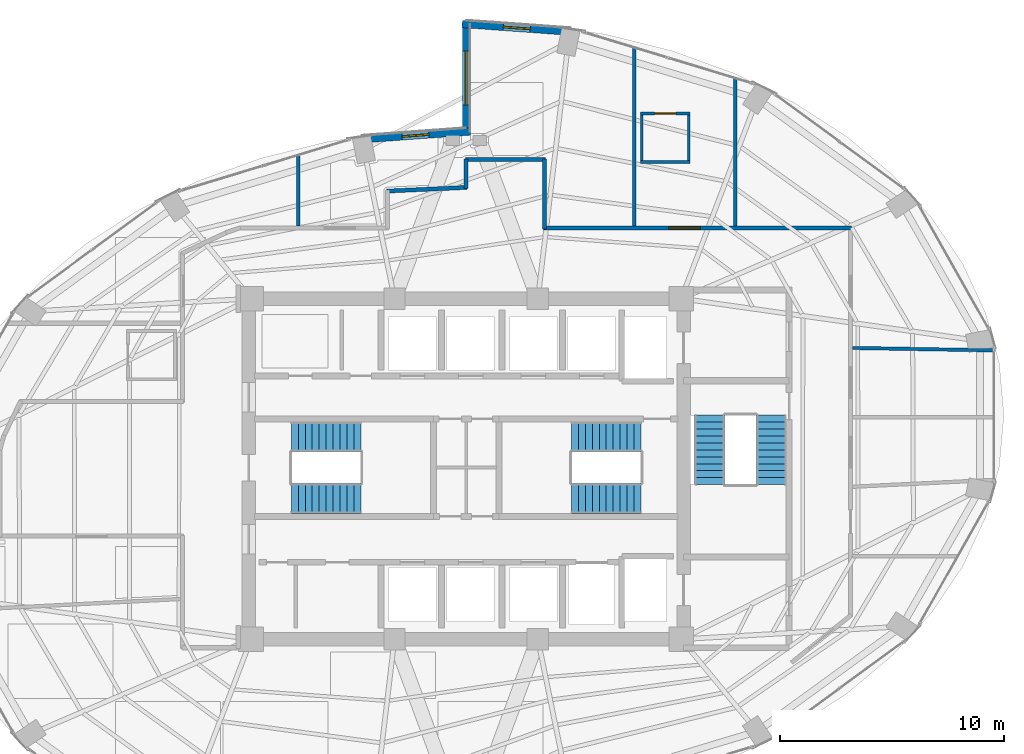
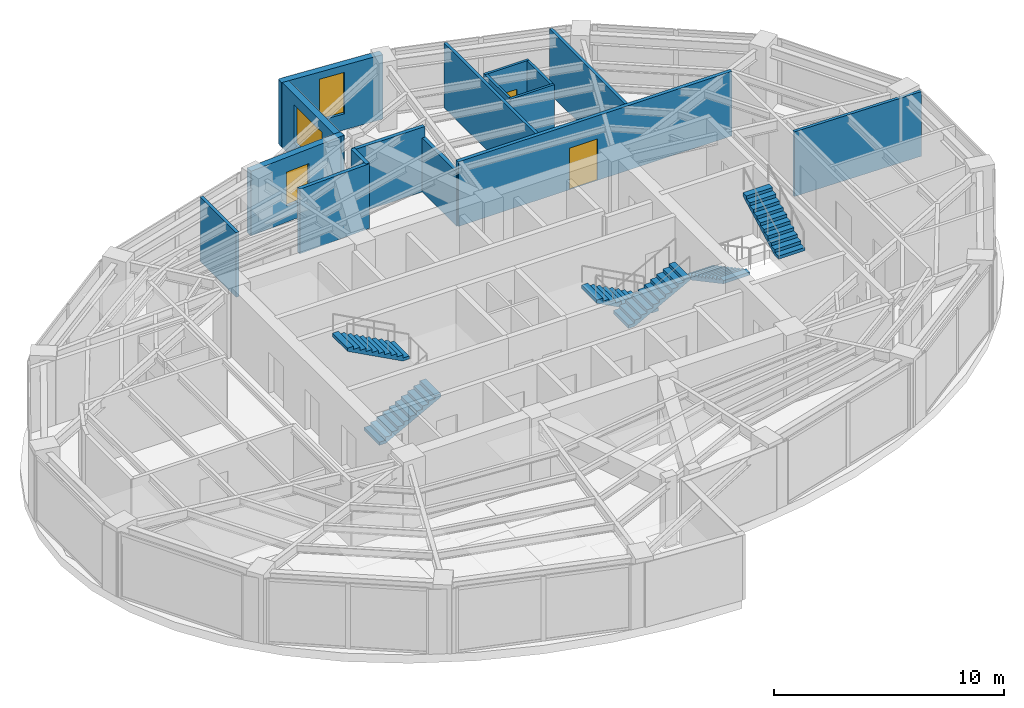
# One storey, part 18 of 20: 16 walls, 6 stair flights, 3 windows, 2 doors, 5 openings, 3 elements without a shape of their own.
"""IFC4 building model written with IfcOpenShell, lengths in metres."""

from ifc_helpers import new_model, si_unit, direction, frame, frame_2d, origin, place, context, subcontext, project, spatial, polyline, rectangle, outline, extrude, material, layer, layer_set, type_object, element, fill, aggregate, save


model = new_model("IFC4")

# Units and contexts
model_context = context("Model", 3, precision=1e-05, world=origin(), true_north=direction((0.0, 1.0)))
body_context = subcontext(model_context, "Body", "Model", "MODEL_VIEW")
ifc_project = project(units=[si_unit("LENGTHUNIT", "METRE"), si_unit("AREAUNIT", "SQUARE_METRE"), si_unit("VOLUMEUNIT", "CUBIC_METRE"), si_unit("PLANEANGLEUNIT", "RADIAN"), si_unit("MASSUNIT", "GRAM", prefix="KILO")], contexts=[model_context])

# Site, building, storey
site_placement = place(None, origin())
site = spatial("IfcSite", under=ifc_project, at=site_placement, CompositionType="ELEMENT")
building_placement = place(site_placement, origin())
building = spatial("IfcBuilding", under=site, at=building_placement, Name="Lazwardi Medical Tower", CompositionType="ELEMENT")
storey_placement = place(building_placement, frame((0.0, 0.0, 138.2880859375)))
storey = spatial("IfcBuildingStorey", under=building, at=storey_placement, Name="L35", CompositionType="ELEMENT", Elevation=138.2880859375)

# Walls
ifc_material_1 = material(Name="Fire-rated gypsum board on steel stud", Category="steel")
ifc_layer_1 = layer(ifc_material_1, 0.179931640625)
ifc_layer_set_1 = layer_set([ifc_layer_1], Name="Fire-rated gypsum board on steel stud")
wall_type_1 = type_object("IfcWallType", Name="WL-COR-180", PredefinedType="PARTITIONING", material=ifc_layer_set_1)
wall_1_placement = place(storey_placement, frame((32.4599609375, 40.3974609375, 0.0), z_axis=(0.0, 0.0, 1.0), x_axis=(0.998948498694, 0.045846449783, 0.0)))
element("IfcWall", 1, at=wall_1_placement, inside=storey, type_object=wall_type_1, Name="L35 Corridor partition 8", PredefinedType="PARTITIONING", context=body_context, shape_type="SweptSolid", body=[
    extrude(rectangle(XDim=3.583740234375, YDim=0.179931640625, at=frame_2d((1.7919921875, 0.0))), origin(), (0.0, 0.0, 1.0), 3.427978515625),
])
wall_2_placement = place(storey_placement, frame((36.0, 40.52001953125, 0.0), z_axis=(0.0, 0.0, 1.0), x_axis=(0.0, 1.0, 0.0)))
element("IfcWall", 2, at=wall_2_placement, inside=storey, type_object=wall_type_1, Name="L35 Corridor partition 9", PredefinedType="PARTITIONING", context=body_context, shape_type="SweptSolid", body=[
    extrude(rectangle(XDim=1.320068359375, YDim=0.179931640625, at=frame_2d((0.66015625, 0.0))), origin(), (0.0, 0.0, 1.0), 3.427978515625),
])
wall_3_placement = place(storey_placement, frame((35.9599609375, 41.800048828125, 0.0), z_axis=(0.0, 0.0, 1.0), x_axis=(1.0, 0.0, 0.0)))
element("IfcWall", 3, at=wall_3_placement, inside=storey, type_object=wall_type_1, Name="L35 Corridor partition 10", PredefinedType="PARTITIONING", context=body_context, shape_type="SweptSolid", body=[
    extrude(rectangle(XDim=3.580078125, YDim=0.179931640625, at=frame_2d((1.7900390625, 0.0))), origin(), (0.0, 0.0, 1.0), 3.427978515625),
])
wall_4_placement = place(storey_placement, frame((39.5, 41.840087890625, 0.0), z_axis=(0.0, 0.0, 1.0), x_axis=(0.0, -1.0, 0.0)))
element("IfcWall", 4, at=wall_4_placement, inside=storey, type_object=wall_type_1, Name="L35 Corridor partition 11", PredefinedType="PARTITIONING", context=body_context, shape_type="SweptSolid", body=[
    extrude(rectangle(XDim=3.130126953125, YDim=0.179931640625, at=frame_2d((1.56494140625, 0.0))), origin(), (0.0, 0.0, 1.0), 2.86279296875),
])

# Wall, opening, door
wall_5_placement = place(storey_placement, frame((39.4599609375, 38.75, 0.0), z_axis=(0.0, 0.0, 1.0), x_axis=(1.0, 0.0, 0.0)))
wall_5 = element("IfcWall", 5, at=wall_5_placement, inside=storey, type_object=wall_type_1, Name="L35 Corridor partition 12", PredefinedType="PARTITIONING", context=body_context, shape_type="SweptSolid", body=[
    extrude(rectangle(XDim=13.72998046875, YDim=0.179931640625, at=frame_2d((6.864990234375, 0.0))), origin(), (0.0, 0.0, 1.0), 3.427978515625),
])
opening_1_placement = place(wall_5_placement, frame((5.590087890625, 0.0, 0.0)))
opening_1 = element("IfcOpeningElement", 6, at=opening_1_placement, cuts=wall_5, Name="Opening D-L35-021", PredefinedType="OPENING", context=body_context, shape_type="SweptSolid", body=[
    extrude(rectangle(XDim=1.39990234375, YDim=2.199951171875, at=frame_2d((0.699951171875, 1.10009765625))), frame((0.0, 0.099853515625, 0.0), z_axis=(0.0, -1.0, 0.0), x_axis=(1.0, 0.0, 0.0)), (0.0, 0.0, 1.0), 0.199951171875),
])
ifc_material_2 = material(Name="Anti-microbial laminate hospital leaf")
door_type_1 = type_object("IfcDoorType", Name="DR-BED-1400", OperationType="NOTDEFINED", PredefinedType="DOOR", material=ifc_material_2)
door_1_placement = place(opening_1_placement, origin())
door_1 = element("IfcDoor", 7, at=door_1_placement, inside=storey, type_object=door_type_1, Name="L35 Patient Bedroom Door 07", OperationType="SINGLE_SWING_RIGHT", OverallHeight=2.199951171875, OverallWidth=1.39990234375, PredefinedType="DOOR", context=body_context, shape_type="SweptSolid", body=[
    extrude(rectangle(XDim=1.39990234375, YDim=2.199951171875, at=frame_2d((0.699951171875, 1.10009765625))), frame((0.0, 0.02490234375, 0.0), z_axis=(0.0, -1.0, 0.0), x_axis=(1.0, 0.0, 0.0)), (0.0, 0.0, 1.0), 0.050048828125),
])
fill(opening_1, door_1)

ifc_material_3 = material(Name="Moisture-resistant gypsum board partition")
ifc_layer_2 = layer(ifc_material_3, 0.125)
ifc_layer_set_2 = layer_set([ifc_layer_2], Name="Moisture-resistant gypsum board partition")
wall_type_2 = type_object("IfcWallType", Name="WL-ENS-125", PredefinedType="PARTITIONING", material=ifc_layer_set_2)
wall_6_placement = place(storey_placement, frame((43.77490234375, 43.86083984375, 0.0), z_axis=(0.0, 0.0, 1.0), x_axis=(1.0, 0.0, 0.0)))
wall_6 = element("IfcWall", 8, at=wall_6_placement, inside=storey, type_object=wall_type_2, Name="L35 En-suite wall 7N", PredefinedType="PARTITIONING", context=body_context, shape_type="SweptSolid", body=[
    extrude(rectangle(XDim=2.22021484375, YDim=0.125, at=frame_2d((1.110107421875, 0.0))), origin(), (0.0, 0.0, 1.0), 3.427978515625),
])
opening_2_placement = place(wall_6_placement, frame((0.635009765625, 0.0, 0.0)))
opening_2 = element("IfcOpeningElement", 9, at=opening_2_placement, cuts=wall_6, Name="Opening D-L35-006", PredefinedType="OPENING", context=body_context, shape_type="SweptSolid", body=[
    extrude(rectangle(XDim=0.949951171875, YDim=2.10009765625, at=frame_2d((0.47509765625, 1.050048828125))), frame((0.0, 0.072509765625, 0.0), z_axis=(0.0, -1.0, 0.0), x_axis=(1.0, 0.0, 0.0)), (0.0, 0.0, 1.0), 0.14501953125),
])
ifc_material_4 = material(Name="Moisture-resistant laminate door leaf")
door_type_2 = type_object("IfcDoorType", Name="DR-ENS-950", OperationType="NOTDEFINED", PredefinedType="DOOR", material=ifc_material_4)
door_2_placement = place(opening_2_placement, origin())
door_2 = element("IfcDoor", 10, at=door_2_placement, inside=storey, type_object=door_type_2, Name="L35 En-suite Door 07", OperationType="SINGLE_SWING_LEFT", OverallHeight=2.10009765625, OverallWidth=0.949951171875, PredefinedType="DOOR", context=body_context, shape_type="SweptSolid", body=[
    extrude(rectangle(XDim=0.949951171875, YDim=2.10009765625, at=frame_2d((0.47509765625, 1.050048828125))), frame((0.0, 0.02490234375, 0.0), z_axis=(0.0, -1.0, 0.0), x_axis=(1.0, 0.0, 0.0)), (0.0, 0.0, 1.0), 0.050048828125),
])
fill(opening_2, door_2)

# Walls
wall_7_placement = place(storey_placement, frame((43.77490234375, 41.70068359375, 0.0), z_axis=(0.0, 0.0, 1.0), x_axis=(1.0, 0.0, 0.0)))
element("IfcWall", 11, at=wall_7_placement, inside=storey, type_object=wall_type_2, Name="L35 En-suite wall 7S", PredefinedType="PARTITIONING", context=body_context, shape_type="SweptSolid", body=[
    extrude(rectangle(XDim=2.22021484375, YDim=0.125, at=frame_2d((1.110107421875, 0.0))), origin(), (0.0, 0.0, 1.0), 3.427978515625),
])
for number, where, z_axis, x_axis, name in (
    (12, (45.93505859375, 41.640869140625, 0.0), (0.0, 0.0, 1.0), (0.0, 1.0, 0.0), "L35 En-suite wall 7E"),
    (13, (43.8349609375, 41.640869140625, 0.0), (0.0, 0.0, 1.0), (0.0, 1.0, 0.0), "L35 En-suite wall 7W"),
):
    element("IfcWall", number, at=place(storey_placement, frame(where, z_axis=z_axis, x_axis=x_axis)), inside=storey, type_object=wall_type_2, Name=name, PredefinedType="PARTITIONING", context=body_context, shape_type="SweptSolid", body=[
        extrude(rectangle(XDim=2.280029296875, YDim=0.125, at=frame_2d((1.14013671875, 0.0))), origin(), (0.0, 0.0, 1.0), 3.427978515625),
    ])

# Wall, opening, window
ifc_material_5 = material(Name="Precast concrete C45/55", Category="concrete")
ifc_layer_3 = layer(ifc_material_5, 0.320068359375)
ifc_layer_set_3 = layer_set([ifc_layer_3], Name="Precast concrete C45/55")
wall_type_3 = type_object("IfcWallType", Name="WL-IWAN-320", PredefinedType="SOLIDWALL", material=ifc_layer_set_3)
wall_8_placement = place(storey_placement, frame((40.700927734375, 47.501220703125, 0.0), z_axis=(0.0, 0.0, 1.0), x_axis=(-0.997415460462, 0.071849838072, 0.0)))
wall_8 = element("IfcWall", 14, at=wall_8_placement, inside=storey, type_object=wall_type_3, Name="L35 Iwan Portal Return Wall NE_ret", PredefinedType="SOLIDWALL", context=body_context, shape_type="SweptSolid", body=[
    extrude(rectangle(XDim=4.89306640625, YDim=0.320068359375, at=frame_2d((2.446533203125, 0.0))), origin(), (0.0, 0.0, 1.0), 3.427978515625),
])
opening_3_placement = place(wall_8_placement, frame((1.846435546875, 0.0, 0.85009765625)))
opening_3 = element("IfcOpeningElement", 15, at=opening_3_placement, cuts=wall_8, Name="Opening WN-01", PredefinedType="OPENING", context=body_context, shape_type="SweptSolid", body=[
    extrude(rectangle(XDim=1.199951171875, YDim=2.199951171875, at=frame_2d((0.60009765625, 1.10009765625))), frame((0.0, 0.169921875, 0.0), z_axis=(0.0, -1.0, 0.0), x_axis=(1.0, 0.0, 0.0)), (0.0, 0.0, 1.0), 0.340087890625),
])
ifc_material_6 = material(Name="Low-e bronze solar control double glazing", Category="glass")
window_type_1 = type_object("IfcWindowType", Name="WIN-IW-1200", PartitioningType="SINGLE_PANEL", PredefinedType="WINDOW", material=ifc_material_6)
window_1_placement = place(opening_3_placement, origin())
window_1 = element("IfcWindow", 16, at=window_1_placement, inside=storey, type_object=window_type_1, Name="L35 Iwan Slot Window NE_ret", OverallHeight=2.199951171875, OverallWidth=1.199951171875, PartitioningType="SINGLE_PANEL", PredefinedType="WINDOW", context=body_context, shape_type="SweptSolid", body=[
    extrude(rectangle(XDim=1.199951171875, YDim=2.199951171875, at=frame_2d((0.60009765625, 1.10009765625))), frame((0.0, 0.030029296875, 0.0), z_axis=(0.0, -1.0, 0.0), x_axis=(1.0, 0.0, 0.0)), (0.0, 0.0, 1.0), 0.06005859375),
])
fill(opening_3, window_1)

wall_9_placement = place(storey_placement, frame((36.17919921875, 43.052978515625, 0.0), z_axis=(0.0, 0.0, 1.0), x_axis=(-0.997415202861, -0.071853413984, 0.0)))
wall_9 = element("IfcWall", 17, at=wall_9_placement, inside=storey, type_object=wall_type_3, Name="L35 Iwan Portal Return Wall NW_ret", PredefinedType="SOLIDWALL", context=body_context, shape_type="SweptSolid", body=[
    extrude(rectangle(XDim=4.892822265625, YDim=0.320068359375, at=frame_2d((2.4462890625, 0.0))), origin(), (0.0, 0.0, 1.0), 3.427978515625),
])
opening_4_placement = place(wall_9_placement, frame((1.84619140625, 0.0, 0.85009765625)))
opening_4 = element("IfcOpeningElement", 18, at=opening_4_placement, cuts=wall_9, Name="Opening WN-04", PredefinedType="OPENING", context=body_context, shape_type="SweptSolid", body=[
    extrude(rectangle(XDim=1.199951171875, YDim=1.800048828125, at=frame_2d((0.60009765625, 0.89990234375))), frame((0.0, 0.169921875, 0.0), z_axis=(0.0, -1.0, 0.0), x_axis=(1.0, 0.0, 0.0)), (0.0, 0.0, 1.0), 0.340087890625),
])
window_type_2 = type_object("IfcWindowType", Name="WIN-DRUM-1200", PartitioningType="SINGLE_PANEL", PredefinedType="WINDOW", material=ifc_material_6)
window_2_placement = place(opening_4_placement, origin())
window_2 = element("IfcWindow", 19, at=window_2_placement, inside=storey, type_object=window_type_2, Name="L35 Iwan Slot Window NW_ret", OverallHeight=1.800048828125, OverallWidth=1.199951171875, PartitioningType="SINGLE_PANEL", PredefinedType="WINDOW", context=body_context, shape_type="SweptSolid", body=[
    extrude(rectangle(XDim=1.199951171875, YDim=1.800048828125, at=frame_2d((0.60009765625, 0.89990234375))), frame((0.0, 0.030029296875, 0.0), z_axis=(0.0, -1.0, 0.0), x_axis=(1.0, 0.0, 0.0)), (0.0, 0.0, 1.0), 0.06005859375),
])
fill(opening_4, window_2)

wall_10_placement = place(storey_placement, frame((36.0, 48.0, 0.0), z_axis=(0.0, 0.0, 1.0), x_axis=(0.0, -1.0, 0.0)))
wall_10 = element("IfcWall", 20, at=wall_10_placement, inside=storey, type_object=wall_type_3, Name="L35 Turquoise Tilework Iwan Seam Wall N_seam", PredefinedType="SOLIDWALL", context=body_context, shape_type="SweptSolid", body=[
    extrude(rectangle(XDim=5.1201171875, YDim=0.320068359375, at=frame_2d((2.56005859375, 0.0))), origin(), (0.0, 0.0, 1.0), 3.427978515625),
])
opening_5_placement = place(wall_10_placement, frame((1.360107421875, 0.0, 0.840087890625)))
opening_5 = element("IfcOpeningElement", 21, at=opening_5_placement, cuts=wall_10, Name="Opening WN-02", PredefinedType="OPENING", context=body_context, shape_type="SweptSolid", body=[
    extrude(rectangle(XDim=2.39990234375, YDim=2.0400390625, at=frame_2d((1.199951171875, 1.02001953125))), frame((0.0, 0.169921875, 0.0), z_axis=(0.0, -1.0, 0.0), x_axis=(1.0, 0.0, 0.0)), (0.0, 0.0, 1.0), 0.340087890625),
])
window_type_3 = type_object("IfcWindowType", Name="WIN-IW-2400", PartitioningType="SINGLE_PANEL", PredefinedType="WINDOW", material=ifc_material_6)
window_3_placement = place(opening_5_placement, origin())
window_3 = element("IfcWindow", 22, at=window_3_placement, inside=storey, type_object=window_type_3, Name="L35 Iwan Seam Window N_seam", OverallHeight=2.0400390625, OverallWidth=2.39990234375, PartitioningType="SINGLE_PANEL", PredefinedType="WINDOW", context=body_context, shape_type="SweptSolid", body=[
    extrude(rectangle(XDim=2.39990234375, YDim=2.0400390625, at=frame_2d((1.199951171875, 1.02001953125))), frame((0.0, 0.030029296875, 0.0), z_axis=(0.0, -1.0, 0.0), x_axis=(1.0, 0.0, 0.0)), (0.0, 0.0, 1.0), 0.06005859375),
])
fill(opening_5, window_3)

# Walls
ifc_material_7 = material(Name="Acoustic gypsum board partition")
ifc_layer_4 = layer(ifc_material_7, 0.14990234375)
ifc_layer_set_4 = layer_set([ifc_layer_4], Name="Acoustic gypsum board partition")
wall_type_4 = type_object("IfcWallType", Name="WL-WRD-150", PredefinedType="PARTITIONING", material=ifc_layer_set_4)
wall_11_placement = place(storey_placement, frame((53.239990234375, 33.398681640625, 0.0), z_axis=(0.0, 0.0, 1.0), x_axis=(0.999852374284, -0.017182247791, 0.0)))
element("IfcWall", 23, at=wall_11_placement, inside=storey, type_object=wall_type_4, Name="L35 Room partition 6", PredefinedType="PARTITIONING", context=body_context, shape_type="SweptSolid", body=[
    extrude(rectangle(XDim=6.322998046875, YDim=0.14990234375, at=frame_2d((3.16162109375, 0.0))), origin(), (0.0, 0.0, 1.0), 3.427978515625),
])
wall_12_placement = place(storey_placement, frame((28.5, 38.840087890625, 0.0), z_axis=(0.0, 0.0, 1.0), x_axis=(0.0, 1.0, 0.0)))
element("IfcWall", 24, at=wall_12_placement, inside=storey, type_object=wall_type_4, Name="L35 Room partition 7", PredefinedType="PARTITIONING", context=body_context, shape_type="SweptSolid", body=[
    extrude(rectangle(XDim=3.142578125, YDim=0.14990234375, at=frame_2d((1.5712890625, 0.0))), origin(), (0.0, 0.0, 1.0), 3.427978515625),
])
wall_13_placement = place(storey_placement, frame((43.5, 38.840087890625, 0.0), z_axis=(0.0, 0.0, 1.0), x_axis=(0.0, 1.0, 0.0)))
element("IfcWall", 25, at=wall_13_placement, inside=storey, type_object=wall_type_4, Name="L35 Room partition 8", PredefinedType="PARTITIONING", context=body_context, shape_type="SweptSolid", body=[
    extrude(rectangle(XDim=7.942626953125, YDim=0.14990234375, at=frame_2d((3.97119140625, 0.0))), origin(), (0.0, 0.0, 1.0), 3.427978515625),
])
wall_14_placement = place(storey_placement, frame((48.0, 38.840087890625, 0.0), z_axis=(0.0, 0.0, 1.0), x_axis=(0.0, 1.0, 0.0)))
element("IfcWall", 26, at=wall_14_placement, inside=storey, type_object=wall_type_4, Name="L35 Room partition 9", PredefinedType="PARTITIONING", context=body_context, shape_type="SweptSolid", body=[
    extrude(rectangle(XDim=6.57763671875, YDim=0.14990234375, at=frame_2d((3.288818359375, 0.0))), origin(), (0.0, 0.0, 1.0), 3.427978515625),
])

# Stair, stair flights
ifc_material_8 = material(Name="Concrete C45/55", Category="concrete")
stair_type = type_object("IfcStairType", Name="STR-WRD", PredefinedType="HALF_TURN_STAIR", material=ifc_material_8)
stair_1_placement = place(storey_placement, origin())
stair_1 = element("IfcStair", 27, at=stair_1_placement, inside=storey, type_object=stair_type, Name="L35 Protected Exit Stair ST1", PredefinedType="HALF_TURN_STAIR")
stair_flight_type = type_object("IfcStairFlightType", Name="FLT-WRD", PredefinedType="STRAIGHT", material=ifc_material_8)
stair_flight_1_placement = place(storey_placement, frame((28.199951171875, 26.679931640625, 0.0), z_axis=(0.0, 0.0, 1.0), x_axis=(1.0, 0.0, 0.0)))
stair_flight_1 = element("IfcStairFlight", 28, at=stair_flight_1_placement, type_object=stair_flight_type, Name="ST1 flight 1", NumberOfRisers=11, NumberOfTreads=10, PredefinedType="STRAIGHT", RiserHeight=0.165818182, TreadLength=0.31, context=body_context, shape_type="SweptSolid", body=[
    extrude(outline(polyline([(0.0, 0.0), (0.0, 0.165771484375), (0.31005859375, 0.165771484375), (0.31005859375, 0.33154296875), (0.6201171875, 0.33154296875), (0.6201171875, 0.49755859375), (0.929931640625, 0.49755859375), (0.929931640625, 0.663330078125), (1.239990234375, 0.663330078125), (1.239990234375, 0.8291015625), (1.550048828125, 0.8291015625), (1.550048828125, 0.994873046875), (1.860107421875, 0.994873046875), (1.860107421875, 1.16064453125), (2.169921875, 1.16064453125), (2.169921875, 1.32666015625), (2.47998046875, 1.32666015625), (2.47998046875, 1.492431640625), (2.7900390625, 1.492431640625), (2.7900390625, 1.658203125), (3.10009765625, 1.658203125), (3.10009765625, 1.823974609375), (3.10009765625, 1.48828125), (0.31787109375, 0.0), (0.0, 0.0)])), frame((0.0, 0.66015625, 0.0), z_axis=(0.0, -1.0, 0.0), x_axis=(1.0, 0.0, 0.0)), (0.0, 0.0, 1.0), 1.320068359375),
])
stair_flight_2_placement = place(storey_placement, frame((31.300048828125, 29.43994140625, 1.823974609375), z_axis=(0.0, 0.0, 1.0), x_axis=(-1.0, 0.0, 0.0)))
stair_flight_2 = element("IfcStairFlight", 29, at=stair_flight_2_placement, type_object=stair_flight_type, Name="ST1 flight 2", NumberOfRisers=11, NumberOfTreads=10, PredefinedType="STRAIGHT", RiserHeight=0.165818182, TreadLength=0.31, context=body_context, shape_type="SweptSolid", body=[
    extrude(outline(polyline([(0.0, 0.0), (0.0, 0.165771484375), (0.31005859375, 0.165771484375), (0.31005859375, 0.33154296875), (0.6201171875, 0.33154296875), (0.6201171875, 0.49755859375), (0.929931640625, 0.49755859375), (0.929931640625, 0.663330078125), (1.239990234375, 0.663330078125), (1.239990234375, 0.8291015625), (1.550048828125, 0.8291015625), (1.550048828125, 0.994873046875), (1.860107421875, 0.994873046875), (1.860107421875, 1.16064453125), (2.169921875, 1.16064453125), (2.169921875, 1.32666015625), (2.47998046875, 1.32666015625), (2.47998046875, 1.492431640625), (2.7900390625, 1.492431640625), (2.7900390625, 1.658203125), (3.10009765625, 1.658203125), (3.10009765625, 1.823974609375), (3.10009765625, 1.48828125), (0.31787109375, 0.0), (0.0, 0.0)])), frame((0.0, 0.66015625, 0.0), z_axis=(0.0, -1.0, 0.0), x_axis=(1.0, 0.0, 0.0)), (0.0, 0.0, 1.0), 1.320068359375),
])
aggregate(stair_1, [stair_flight_1, stair_flight_2])

stair_2_placement = place(storey_placement, origin())
stair_2 = element("IfcStair", 30, at=stair_2_placement, inside=storey, type_object=stair_type, Name="L35 Protected Exit Stair ST2", PredefinedType="HALF_TURN_STAIR")
stair_flight_3_placement = place(storey_placement, frame((43.800048828125, 29.43994140625, 0.0), z_axis=(0.0, 0.0, 1.0), x_axis=(-1.0, 0.0, 0.0)))
stair_flight_3 = element("IfcStairFlight", 31, at=stair_flight_3_placement, type_object=stair_flight_type, Name="ST2 flight 1", NumberOfRisers=11, NumberOfTreads=10, PredefinedType="STRAIGHT", RiserHeight=0.165818182, TreadLength=0.31, context=body_context, shape_type="SweptSolid", body=[
    extrude(outline(polyline([(0.0, 0.0), (0.0, 0.165771484375), (0.31005859375, 0.165771484375), (0.31005859375, 0.33154296875), (0.6201171875, 0.33154296875), (0.6201171875, 0.49755859375), (0.929931640625, 0.49755859375), (0.929931640625, 0.663330078125), (1.239990234375, 0.663330078125), (1.239990234375, 0.8291015625), (1.550048828125, 0.8291015625), (1.550048828125, 0.994873046875), (1.860107421875, 0.994873046875), (1.860107421875, 1.16064453125), (2.169921875, 1.16064453125), (2.169921875, 1.32666015625), (2.47998046875, 1.32666015625), (2.47998046875, 1.492431640625), (2.7900390625, 1.492431640625), (2.7900390625, 1.658203125), (3.10009765625, 1.658203125), (3.10009765625, 1.823974609375), (3.10009765625, 1.48828125), (0.31787109375, 0.0), (0.0, 0.0)])), frame((0.0, 0.66015625, 0.0), z_axis=(0.0, -1.0, 0.0), x_axis=(1.0, 0.0, 0.0)), (0.0, 0.0, 1.0), 1.320068359375),
])
stair_flight_4_placement = place(storey_placement, frame((40.699951171875, 26.679931640625, 1.823974609375), z_axis=(0.0, 0.0, 1.0), x_axis=(1.0, 0.0, 0.0)))
stair_flight_4 = element("IfcStairFlight", 32, at=stair_flight_4_placement, type_object=stair_flight_type, Name="ST2 flight 2", NumberOfRisers=11, NumberOfTreads=10, PredefinedType="STRAIGHT", RiserHeight=0.165818182, TreadLength=0.31, context=body_context, shape_type="SweptSolid", body=[
    extrude(outline(polyline([(0.0, 0.0), (0.0, 0.165771484375), (0.31005859375, 0.165771484375), (0.31005859375, 0.33154296875), (0.6201171875, 0.33154296875), (0.6201171875, 0.49755859375), (0.929931640625, 0.49755859375), (0.929931640625, 0.663330078125), (1.239990234375, 0.663330078125), (1.239990234375, 0.8291015625), (1.550048828125, 0.8291015625), (1.550048828125, 0.994873046875), (1.860107421875, 0.994873046875), (1.860107421875, 1.16064453125), (2.169921875, 1.16064453125), (2.169921875, 1.32666015625), (2.47998046875, 1.32666015625), (2.47998046875, 1.492431640625), (2.7900390625, 1.492431640625), (2.7900390625, 1.658203125), (3.10009765625, 1.658203125), (3.10009765625, 1.823974609375), (3.10009765625, 1.48828125), (0.31787109375, 0.0), (0.0, 0.0)])), frame((0.0, 0.66015625, 0.0), z_axis=(0.0, -1.0, 0.0), x_axis=(1.0, 0.0, 0.0)), (0.0, 0.0, 1.0), 1.320068359375),
])
aggregate(stair_2, [stair_flight_3, stair_flight_4])

stair_3_placement = place(storey_placement, origin())
stair_3 = element("IfcStair", 33, at=stair_3_placement, inside=storey, type_object=stair_type, Name="L35 Protected Exit Stair ST3", PredefinedType="HALF_TURN_STAIR")
stair_flight_5_placement = place(storey_placement, frame((46.860107421875, 30.39990234375, 0.0), z_axis=(0.0, 0.0, 1.0), x_axis=(0.0, -1.0, 0.0)))
stair_flight_5 = element("IfcStairFlight", 34, at=stair_flight_5_placement, type_object=stair_flight_type, Name="ST3 flight 1", NumberOfRisers=11, NumberOfTreads=10, PredefinedType="STRAIGHT", RiserHeight=0.165818182, TreadLength=0.31, context=body_context, shape_type="SweptSolid", body=[
    extrude(outline(polyline([(0.0, 0.0), (0.0, 0.165771484375), (0.31005859375, 0.165771484375), (0.31005859375, 0.33154296875), (0.6201171875, 0.33154296875), (0.6201171875, 0.49755859375), (0.929931640625, 0.49755859375), (0.929931640625, 0.663330078125), (1.239990234375, 0.663330078125), (1.239990234375, 0.8291015625), (1.550048828125, 0.8291015625), (1.550048828125, 0.994873046875), (1.860107421875, 0.994873046875), (1.860107421875, 1.16064453125), (2.169921875, 1.16064453125), (2.169921875, 1.32666015625), (2.47998046875, 1.32666015625), (2.47998046875, 1.492431640625), (2.7900390625, 1.492431640625), (2.7900390625, 1.658203125), (3.10009765625, 1.658203125), (3.10009765625, 1.823974609375), (3.10009765625, 1.48828125), (0.31787109375, 0.0), (0.0, 0.0)])), frame((0.0, 0.66015625, 0.0), z_axis=(0.0, -1.0, 0.0), x_axis=(1.0, 0.0, 0.0)), (0.0, 0.0, 1.0), 1.320068359375),
])
stair_flight_6_placement = place(storey_placement, frame((49.6201171875, 27.300048828125, 1.823974609375), z_axis=(0.0, 0.0, 1.0), x_axis=(0.0, 1.0, 0.0)))
stair_flight_6 = element("IfcStairFlight", 35, at=stair_flight_6_placement, type_object=stair_flight_type, Name="ST3 flight 2", NumberOfRisers=11, NumberOfTreads=10, PredefinedType="STRAIGHT", RiserHeight=0.165818182, TreadLength=0.31, context=body_context, shape_type="SweptSolid", body=[
    extrude(outline(polyline([(0.0, 0.0), (0.0, 0.165771484375), (0.31005859375, 0.165771484375), (0.31005859375, 0.33154296875), (0.6201171875, 0.33154296875), (0.6201171875, 0.49755859375), (0.929931640625, 0.49755859375), (0.929931640625, 0.663330078125), (1.239990234375, 0.663330078125), (1.239990234375, 0.8291015625), (1.550048828125, 0.8291015625), (1.550048828125, 0.994873046875), (1.860107421875, 0.994873046875), (1.860107421875, 1.16064453125), (2.169921875, 1.16064453125), (2.169921875, 1.32666015625), (2.47998046875, 1.32666015625), (2.47998046875, 1.492431640625), (2.7900390625, 1.492431640625), (2.7900390625, 1.658203125), (3.10009765625, 1.658203125), (3.10009765625, 1.823974609375), (3.10009765625, 1.48828125), (0.31787109375, 0.0), (0.0, 0.0)])), frame((0.0, 0.66015625, 0.0), z_axis=(0.0, -1.0, 0.0), x_axis=(1.0, 0.0, 0.0)), (0.0, 0.0, 1.0), 1.320068359375),
])
aggregate(stair_3, [stair_flight_5, stair_flight_6])

save(model, "model.ifc")
